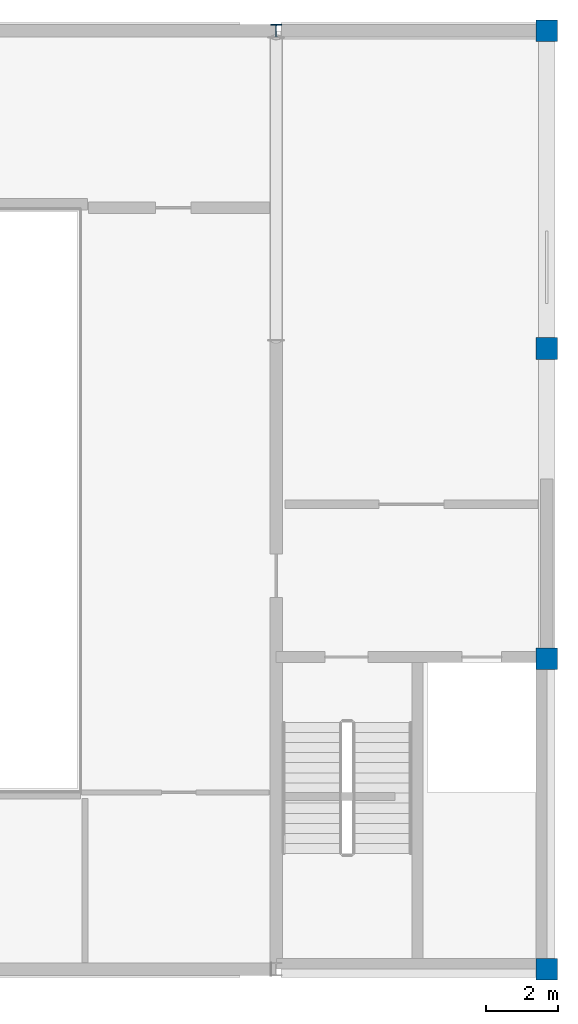
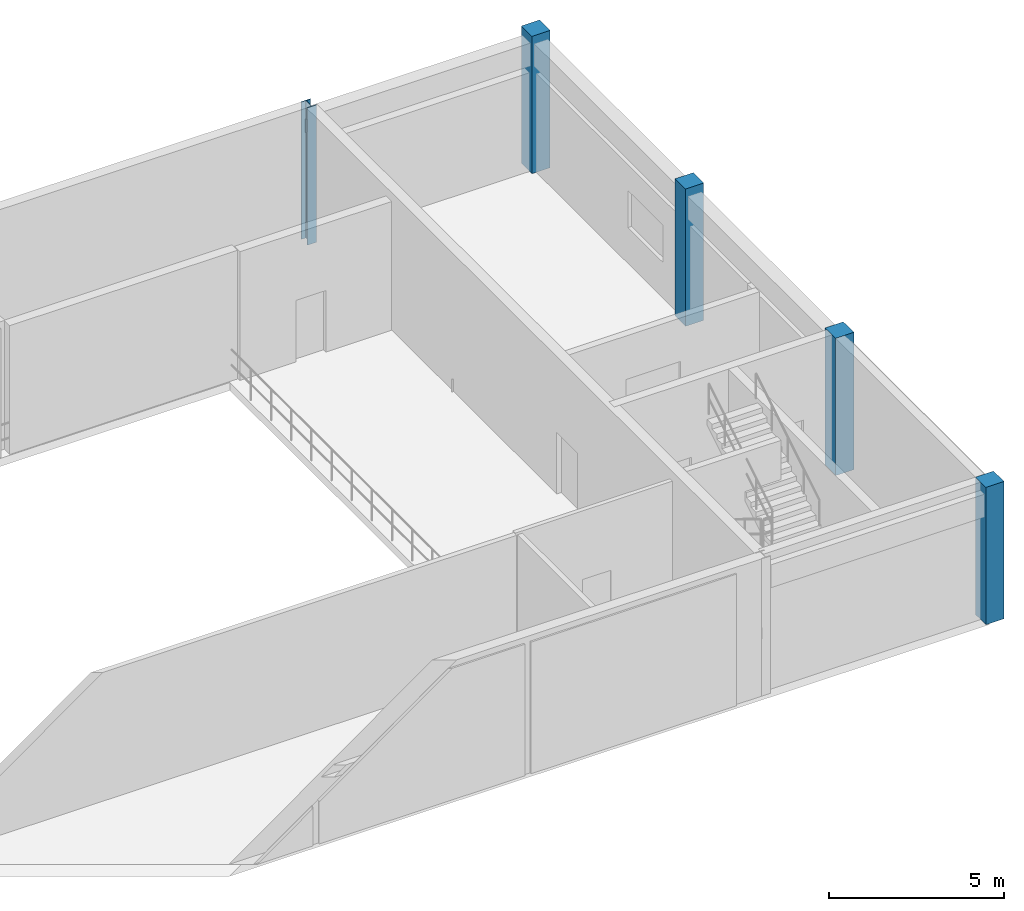
# One storey, part 2 of 9: 5 columns.
"""IFC4 building model written with IfcOpenShell, lengths in metres."""

import ifcopenshell
import ifcopenshell.guid

model = None  # the IFC model being written
_history = None  # IfcOwnerHistory: only IFC2X3 demands one
_inside = {}  # id of a spatial element -> (the spatial element, [elements in it])
_under = {}  # id of a project, library or spatial element -> (it, [spatial elements below it])
_declared = {}  # id of a project -> (the project, [libraries it declares])
_typed = {}  # id of a type object -> (the type object, [elements of that type])
_made_of = {}  # id of a material, layer set ... -> (it, [elements and type objects made of it])


def new_model(schema):
    """Start an empty IFC model of exactly this schema.

    Asked for "IFC4X3", IfcOpenShell would pick the latest addendum, in which some entities
    have other attributes; the version numbers below select the first issue.
    IFC2X3 requires an IfcOwnerHistory on every rooted entity: one is made here for all.
    """
    global model, _history
    if schema == "IFC4X3":
        model = ifcopenshell.file(schema_version=(4, 3, 0, 0))
    else:
        model = ifcopenshell.file(schema=schema)
    _inside.clear()
    _under.clear()
    _declared.clear()
    _typed.clear()
    _made_of.clear()
    _history = None
    if model.schema == "IFC2X3":
        org = make("IfcOrganization", Name="unknown")
        user = make(
            "IfcPersonAndOrganization",
            ThePerson=make("IfcPerson", FamilyName="unknown"),
            TheOrganization=org,
        )
        app = make(
            "IfcApplication",
            ApplicationDeveloper=org,
            Version="unknown",
            ApplicationFullName="unknown",
            ApplicationIdentifier="unknown",
        )
        _history = make(
            "IfcOwnerHistory",
            OwningUser=user,
            OwningApplication=app,
            ChangeAction="ADDED",
            CreationDate=0,
        )
    return model


def make(cls, **values):
    """One entity of the class cls with the attributes given. An attribute that is None is left unset."""
    return model.create_entity(
        cls, **{name: value for name, value in values.items() if value is not None}
    )


def rooted(cls, **values):
    """An entity with a GlobalId (a new one), such as an element, a storey or a relation."""
    return make(cls, GlobalId=ifcopenshell.guid.new(), OwnerHistory=_history, **values)


def si_unit(unit_type, name, prefix=None):
    """IfcSIUnit, for example si_unit("LENGTHUNIT", "METRE", prefix="MILLI")."""
    return make("IfcSIUnit", UnitType=unit_type, Prefix=prefix, Name=name)


def assignment(units):
    """IfcUnitAssignment: the units of a project."""
    return None if units is None else make("IfcUnitAssignment", Units=units)


def point(xyz):
    """IfcCartesianPoint."""
    return None if xyz is None else make("IfcCartesianPoint", Coordinates=xyz)


def direction(xyz):
    """IfcDirection."""
    return None if xyz is None else make("IfcDirection", DirectionRatios=xyz)


def frame(location, z_axis=None, x_axis=None):
    """IfcAxis2Placement3D, a coordinate frame: its origin and axes. An axis left out is left unset."""
    return make(
        "IfcAxis2Placement3D",
        Location=point(location),
        Axis=direction(z_axis),
        RefDirection=direction(x_axis),
    )


def frame_2d(location, x_axis=None):
    """IfcAxis2Placement2D, a coordinate frame in the plane: its origin and x axis."""
    return make(
        "IfcAxis2Placement2D", Location=point(location), RefDirection=direction(x_axis)
    )


def origin():
    """The frame at (0, 0, 0) with its axes left unset."""
    return frame((0.0, 0.0, 0.0))


def origin_2d():
    """The frame at (0, 0) in the plane with its x axis left unset."""
    return frame_2d((0.0, 0.0))


def place(relative_to, where):
    """IfcLocalPlacement: puts the frame where relative to a parent placement (None: the world)."""
    return make(
        "IfcLocalPlacement", PlacementRelTo=relative_to, RelativePlacement=where
    )


def context(
    kind, dimensions, precision=None, world=None, true_north=None, identifier=None
):
    """IfcGeometricRepresentationContext, for example the 3D "Model" context."""
    return make(
        "IfcGeometricRepresentationContext",
        ContextIdentifier=identifier,
        ContextType=kind,
        CoordinateSpaceDimension=dimensions,
        Precision=precision,
        WorldCoordinateSystem=world,
        TrueNorth=true_north,
    )


def subcontext(parent, identifier, kind, view, scale=None):
    """IfcGeometricRepresentationSubContext, for example "Body" below "Model"."""
    return make(
        "IfcGeometricRepresentationSubContext",
        ContextIdentifier=identifier,
        ContextType=kind,
        ParentContext=parent,
        TargetScale=scale,
        TargetView=view,
    )


def project(units=None, contexts=None):
    """IfcProject with its units and contexts."""
    return rooted(
        "IfcProject",
        Name="project",
        RepresentationContexts=contexts,
        UnitsInContext=assignment(units),
    )


def spatial(cls, under=None, at=None, **own):
    """A site, building, storey or space (cls), placed at a placement, below another one or the project."""
    s = rooted(cls, ObjectPlacement=at, **own)
    if under is not None:
        _under.setdefault(under.id(), (under, []))[1].append(s)
    return s


def profile(cls, at=None, kind="AREA", **sizes):
    """A parametric profile (cls). Its sizes go by their IFC names, for example OverallWidth=200.0."""
    return make(cls, ProfileType=kind, Position=at, **sizes)


def rectangle(**sizes):
    """IfcRectangleProfileDef."""
    return profile("IfcRectangleProfileDef", **sizes)


def i_section(**sizes):
    """IfcIShapeProfileDef."""
    return profile("IfcIShapeProfileDef", **sizes)


def extrude(swept, where, along, depth):
    """IfcExtrudedAreaSolid: the profile swept, set in the frame where, extruded along a direction by depth."""
    return make(
        "IfcExtrudedAreaSolid",
        SweptArea=swept,
        Position=where,
        ExtrudedDirection=direction(along),
        Depth=depth,
    )


def shape(context_of_items, identifier, shape_type, items):
    """IfcShapeRepresentation: the items that make up one representation, for example the "Body"."""
    return make(
        "IfcShapeRepresentation",
        ContextOfItems=context_of_items,
        RepresentationIdentifier=identifier,
        RepresentationType=shape_type,
        Items=items,
    )


def material(Name=None, Category=None):
    """IfcMaterial."""
    return make("IfcMaterial", Name=Name, Category=Category)


def material_profile(
    of_material, cross_section, Name=None, Category=None, Priority=None
):
    """IfcMaterialProfile: a cross section and its material."""
    return make(
        "IfcMaterialProfile",
        Name=Name,
        Material=of_material,
        Profile=cross_section,
        Priority=Priority,
        Category=Category,
    )


def profile_set(profiles, Name=None, composite=None):
    """IfcMaterialProfileSet."""
    return make(
        "IfcMaterialProfileSet",
        Name=Name,
        MaterialProfiles=profiles,
        CompositeProfile=composite,
    )


def made_of(thing, what):
    """Note that an element or type object is made of a material, layer set ...; save() writes the relation."""
    if what is not None:
        _made_of.setdefault(what.id(), (what, []))[1].append(thing)
    return thing


def type_object(cls, material=None, **own):
    """A type object (cls), such as IfcWallType, which elements share."""
    return made_of(rooted(cls, **own), material)


def element(
    cls,
    number,
    at=None,
    inside=None,
    cuts=None,
    type_object=None,
    material=None,
    context=None,
    identifier="Body",
    shape_type=None,
    held_by="IfcProductDefinitionShape",
    body=None,
    shapes=None,
    **own,
):
    """One element of the class cls, such as IfcWall. Its Tag is "e" and its number.

    at: its placement. inside: the storey or other place that contains it. cuts: it is an
    opening in that element (IfcRelVoidsElement). A single representation is given by context,
    identifier, shape_type and body (its items); several are given by shapes. held_by: the class
    of the entity that holds the representations. save() writes the other relations.
    """
    e = rooted(cls, Tag="e%d" % number, ObjectPlacement=at, **own)
    if body is not None:
        shapes = [shape(context, identifier, shape_type, body)]
    if shapes is not None:
        e.Representation = make(held_by, Representations=shapes)
    if inside is not None:
        _inside.setdefault(inside.id(), (inside, []))[1].append(e)
    if cuts is not None:
        rooted(
            "IfcRelVoidsElement", RelatingBuildingElement=cuts, RelatedOpeningElement=e
        )
    if type_object is not None:
        _typed.setdefault(type_object.id(), (type_object, []))[1].append(e)
    return made_of(e, material)


def aggregate(whole, parts):
    """IfcRelAggregates: a whole, such as a stair, and the parts it consists of."""
    return rooted("IfcRelAggregates", RelatingObject=whole, RelatedObjects=parts)


def save(model, path):
    """Write the relations noted so far, then the file.

    IfcRelAggregates (storeys below a building ...), IfcRelContainedInSpatialStructure (elements
    in a storey), IfcRelDefinesByType, IfcRelAssociatesMaterial and IfcRelDeclares: one each for
    every whole, place, type object, material and project.
    """
    for whole, parts in _under.values():
        aggregate(whole, parts)
    for where, things in _inside.values():
        rooted(
            "IfcRelContainedInSpatialStructure",
            RelatedElements=things,
            RelatingStructure=where,
        )
    for kind, things in _typed.values():
        rooted("IfcRelDefinesByType", RelatedObjects=things, RelatingType=kind)
    for what, things in _made_of.values():
        rooted("IfcRelAssociatesMaterial", RelatedObjects=things, RelatingMaterial=what)
    for by, libraries in _declared.values():
        rooted("IfcRelDeclares", RelatingContext=by, RelatedDefinitions=libraries)
    model.write(path)


model = new_model("IFC4")

# Units and contexts
model_context = context("Model", 3, precision=1e-05, world=origin(), true_north=direction((0.0, 1.0)))
body_context = subcontext(model_context, "Body", "Model", "MODEL_VIEW")
ifc_project = project(units=[si_unit("LENGTHUNIT", "METRE"), si_unit("AREAUNIT", "SQUARE_METRE"), si_unit("VOLUMEUNIT", "CUBIC_METRE"), si_unit("PLANEANGLEUNIT", "RADIAN"), si_unit("MASSUNIT", "GRAM", prefix="KILO")], contexts=[model_context])

# Site, building, storey
site_placement = place(None, origin())
site = spatial("IfcSite", under=ifc_project, at=site_placement, CompositionType="ELEMENT")
building_placement = place(site_placement, origin())
building = spatial("IfcBuilding", under=site, at=building_placement, Name="Muzn Square Opera House", CompositionType="ELEMENT")
storey_placement = place(building_placement, frame((0.0, 0.0, 23.39990234375)))
storey = spatial("IfcBuildingStorey", under=building, at=storey_placement, Name="L05", CompositionType="ELEMENT", Elevation=23.39990234375)

# Columns
ifc_material_1 = material(Name="Concrete C45/55", Category="concrete")
ifc_material_profile_1 = material_profile(ifc_material_1, rectangle(XDim=0.60009765625, YDim=0.60009765625, at=origin_2d()), Name="RC 600x600", Category="concrete")
ifc_profile_set_1 = profile_set([ifc_material_profile_1], Name="Concrete C45/55")
column_type_1 = type_object("IfcColumnType", Name="Frame Column 600x600", PredefinedType="COLUMN", material=ifc_profile_set_1)
for number, where, z_axis, x_axis, name in (
    (1, (110.5, 72.60009765625, 0.0), (0.0, 0.0, 1.0), (1.0, 0.0, 0.0), "Column COL-L05-COL-600-1105_726"),
    (2, (110.5, 81.199951171875, 0.0), (0.0, 0.0, 1.0), (1.0, 0.0, 0.0), "Column COL-L05-COL-600-1105_812"),
    (3, (110.5, 89.800048828125, 0.0), (0.0, 0.0, 1.0), (1.0, 0.0, 0.0), "Column COL-L05-COL-600-1105_898"),
    (4, (110.5, 98.60009765625, 0.0), (0.0, 0.0, 1.0), (1.0, 0.0, 0.0), "Column COL-L05-COL-600-1105_986"),
):
    element("IfcColumn", number, at=place(storey_placement, frame(where, z_axis=z_axis, x_axis=x_axis)), inside=storey, type_object=column_type_1, Name=name, PredefinedType="COLUMN", context=body_context, shape_type="SweptSolid", body=[
        extrude(rectangle(XDim=0.60009765625, YDim=0.60009765625, at=origin_2d()), origin(), (0.0, 0.0, 1.0), 4.800048828125),
    ])
ifc_material_2 = material(Name="Steel S355", Category="steel")
ifc_material_profile_2 = material_profile(ifc_material_2, i_section(OverallWidth=0.300048828125, OverallDepth=0.360107421875, WebThickness=0.012451171875, FlangeThickness=0.0224609375, FilletRadius=0.027099609375, at=origin_2d()), Name="HEB 360", Category="steel")
ifc_profile_set_2 = profile_set([ifc_material_profile_2], Name="Steel S355")
column_type_2 = type_object("IfcColumnType", Name="Steel Gallery Column HEB360", PredefinedType="COLUMN", material=ifc_profile_set_2)
column_placement = place(storey_placement, frame((103.0, 98.60009765625, 0.0), z_axis=(0.0, 0.0, 1.0), x_axis=(1.0, 0.0, 0.0)))
element("IfcColumn", 5, at=column_placement, inside=storey, type_object=column_type_2, Name="Column COL-L05-COL-HEB360-1030_986", PredefinedType="COLUMN", context=body_context, shape_type="SweptSolid", body=[
    extrude(i_section(OverallWidth=0.300048828125, OverallDepth=0.360107421875, WebThickness=0.012451171875, FlangeThickness=0.0224609375, FilletRadius=0.027099609375, at=origin_2d()), origin(), (0.0, 0.0, 1.0), 4.800048828125),
])

save(model, "model.ifc")
